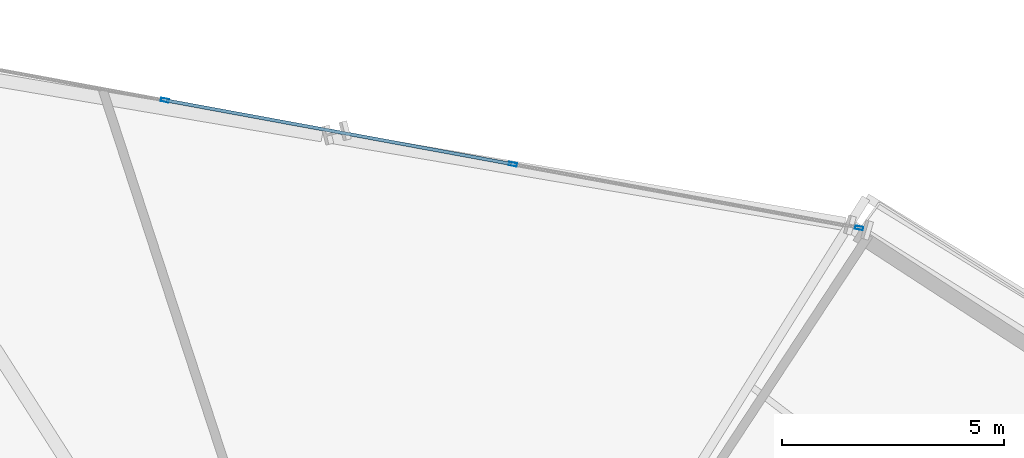
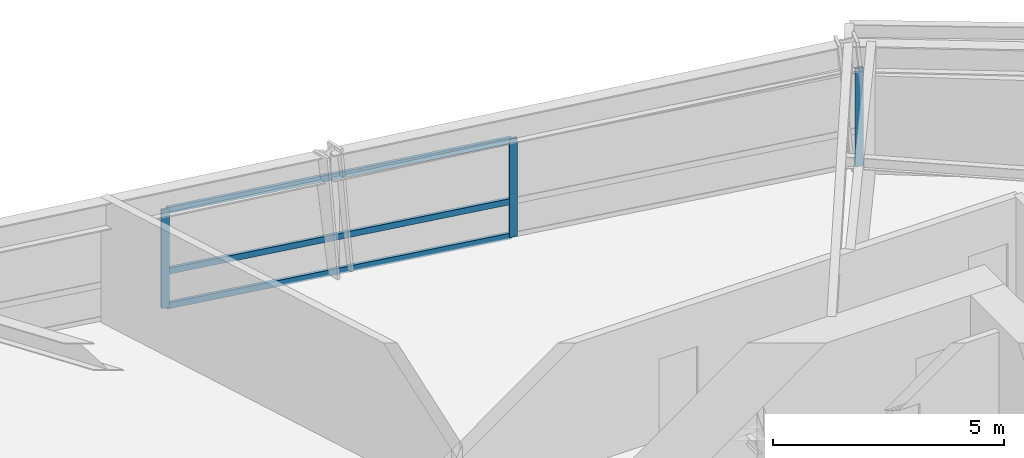
# One storey, part 10 of 20: 6 members, 1 element without a shape of its own.
"""IFC4 building model written with IfcOpenShell, lengths in metres."""

from ifc_helpers import new_model, si_unit, direction, frame, origin, origin_2d, place, context, subcontext, project, spatial, hollow_rectangle, extrude, source, transform, mapped, material, material_profile, profile_set, type_object, element, aggregate, save


model = new_model("IFC4")

# Units and contexts
model_context = context("Model", 3, precision=1e-05, world=origin(), true_north=direction((0.0, 1.0)))
body_context = subcontext(model_context, "Body", "Model", "MODEL_VIEW")
ifc_project = project(units=[si_unit("LENGTHUNIT", "METRE"), si_unit("AREAUNIT", "SQUARE_METRE"), si_unit("VOLUMEUNIT", "CUBIC_METRE"), si_unit("PLANEANGLEUNIT", "RADIAN"), si_unit("MASSUNIT", "GRAM", prefix="KILO")], contexts=[model_context])

# Site, building, storey
site_placement = place(None, origin())
site = spatial("IfcSite", under=ifc_project, at=site_placement, CompositionType="ELEMENT")
building_placement = place(site_placement, origin())
building = spatial("IfcBuilding", under=site, at=building_placement, Name="Olszyna Solenne Hotel", CompositionType="ELEMENT")
storey_placement = place(building_placement, frame((0.0, 0.0, 43.5)))
storey = spatial("IfcBuildingStorey", under=building, at=storey_placement, Name="L10", CompositionType="ELEMENT", Elevation=43.5)

# Curtain wall, members
ifc_material = material(Name="Anodised bronze aluminium", Category="aluminium")
curtain_wall_type = type_object("IfcCurtainWallType", Name="CW-SYS-2", PredefinedType="NOTDEFINED", material=ifc_material)
curtain_wall_placement = place(storey_placement, origin())
curtain_wall = element("IfcCurtainWall", 1, at=curtain_wall_placement, inside=storey, type_object=curtain_wall_type, Name="Unitised curtain wall CW-SYS-2 CW-L10-02", PredefinedType="NOTDEFINED")
ifc_material_profile_1 = material_profile(ifc_material, hollow_rectangle(XDim=0.074951171875, YDim=0.179931640625, WallThickness=0.00439453125, at=origin_2d()), Name="MULL 180x75x4.5", Category="load-bearing")
ifc_profile_set_1 = profile_set([ifc_material_profile_1], Name="Anodised bronze aluminium")
member_type_1 = type_object("IfcMemberType", Name="CW-M2", PredefinedType="MULLION", material=ifc_profile_set_1)
shared_shape_1 = source(origin(), body_context, "Body", "SweptSolid", [
    extrude(hollow_rectangle(XDim=0.074951171875, YDim=0.179931640625, WallThickness=0.00439453125, at=origin_2d()), origin(), (0.0, 0.0, 1.0), 2.592041015625),
])
member_1_placement = place(storey_placement, frame((32.960693359375, 46.098388671875, 0.0), z_axis=(0.0, 0.0, 1.0), x_axis=(0.180946004206, 0.983493031781, 0.0)))
member_1 = element("IfcMember", 2, at=member_1_placement, type_object=member_type_1, Name="Curtain-wall mullion CW-M2 CM-L10-02-02", PredefinedType="MULLION", context=body_context, shape_type="MappedRepresentation", body=[
    mapped(shared_shape_1, transform((0.0, 0.0, 0.0), x_axis=(1.0, 0.0, 0.0), y_axis=(0.0, 1.0, 0.0), z_axis=(0.0, 0.0, 1.0), scale=1.0)),
])
member_2_placement = place(storey_placement, frame((40.806396484375, 44.65478515625, 0.0), z_axis=(0.0, 0.0, 1.0), x_axis=(0.180946004206, 0.983493031781, 0.0)))
member_2 = element("IfcMember", 3, at=member_2_placement, type_object=member_type_1, Name="Curtain-wall mullion CW-M2 CM-L10-02-03", PredefinedType="MULLION", context=body_context, shape_type="MappedRepresentation", body=[
    mapped(shared_shape_1, transform((0.0, 0.0, 0.0), x_axis=(1.0, 0.0, 0.0), y_axis=(0.0, 1.0, 0.0), z_axis=(0.0, 0.0, 1.0), scale=1.0)),
])
member_3_placement = place(storey_placement, frame((48.615478515625, 43.218017578125, 0.0), z_axis=(0.0, 0.0, 1.0), x_axis=(0.180946004206, 0.983493031781, 0.0)))
member_3 = element("IfcMember", 4, at=member_3_placement, type_object=member_type_1, Name="Curtain-wall mullion CW-M2 CM-L10-02-04", PredefinedType="MULLION", context=body_context, shape_type="MappedRepresentation", body=[
    mapped(shared_shape_1, transform((0.0, 0.0, 0.0), x_axis=(1.0, 0.0, 0.0), y_axis=(0.0, 1.0, 0.0), z_axis=(0.0, 0.0, 1.0), scale=1.0)),
])
ifc_material_profile_2 = material_profile(ifc_material, hollow_rectangle(XDim=0.074951171875, YDim=0.159912109375, WallThickness=0.00390625, at=origin_2d()), Name="TRAN 160x75x4", Category="load-bearing")
ifc_profile_set_2 = profile_set([ifc_material_profile_2], Name="Anodised bronze aluminium")
member_type_2 = type_object("IfcMemberType", Name="CW-T1", PredefinedType="USERDEFINED", material=ifc_profile_set_2)
shared_shape_2 = source(origin(), body_context, "Body", "SweptSolid", [
    extrude(hollow_rectangle(XDim=0.074951171875, YDim=0.159912109375, WallThickness=0.00390625, at=origin_2d()), origin(), (0.0, 0.0, 1.0), 7.90234375),
])
member_4_placement = place(storey_placement, frame((32.99755859375, 46.091552734375, 0.03759765625), z_axis=(0.983492564496, -0.180948544017, 0.0), x_axis=(0.180948544017, 0.983492564496, 0.0)))
member_4 = element("IfcMember", 5, at=member_4_placement, type_object=member_type_2, Name="Curtain-wall transom CW-T1 CT-L10-02-04", ObjectType="TRANSOM", PredefinedType="USERDEFINED", context=body_context, shape_type="MappedRepresentation", body=[
    mapped(shared_shape_2, transform((0.0, 0.0, 0.0), x_axis=(1.0, 0.0, 0.0), y_axis=(0.0, 1.0, 0.0), z_axis=(0.0, 0.0, 1.0), scale=1.0)),
])
member_5_placement = place(storey_placement, frame((32.99755859375, 46.091552734375, 0.949951171875), z_axis=(0.983492564496, -0.180948544017, 0.0), x_axis=(0.180948544017, 0.983492564496, 0.0)))
member_5 = element("IfcMember", 6, at=member_5_placement, type_object=member_type_2, Name="Curtain-wall transom CW-T1 CT-L10-02-05", ObjectType="TRANSOM", PredefinedType="USERDEFINED", context=body_context, shape_type="MappedRepresentation", body=[
    mapped(shared_shape_2, transform((0.0, 0.0, 0.0), x_axis=(1.0, 0.0, 0.0), y_axis=(0.0, 1.0, 0.0), z_axis=(0.0, 0.0, 1.0), scale=1.0)),
])
member_6_placement = place(storey_placement, frame((32.99755859375, 46.091552734375, 2.554443359375), z_axis=(0.983492564496, -0.180948544017, 0.0), x_axis=(0.180948544017, 0.983492564496, 0.0)))
member_6 = element("IfcMember", 7, at=member_6_placement, type_object=member_type_2, Name="Curtain-wall transom CW-T1 CT-L10-02-06", ObjectType="TRANSOM", PredefinedType="USERDEFINED", context=body_context, shape_type="MappedRepresentation", body=[
    mapped(shared_shape_2, transform((0.0, 0.0, 0.0), x_axis=(1.0, 0.0, 0.0), y_axis=(0.0, 1.0, 0.0), z_axis=(0.0, 0.0, 1.0), scale=1.0)),
])
aggregate(curtain_wall, [member_1, member_2, member_3, member_4, member_5, member_6])

save(model, "model.ifc")
